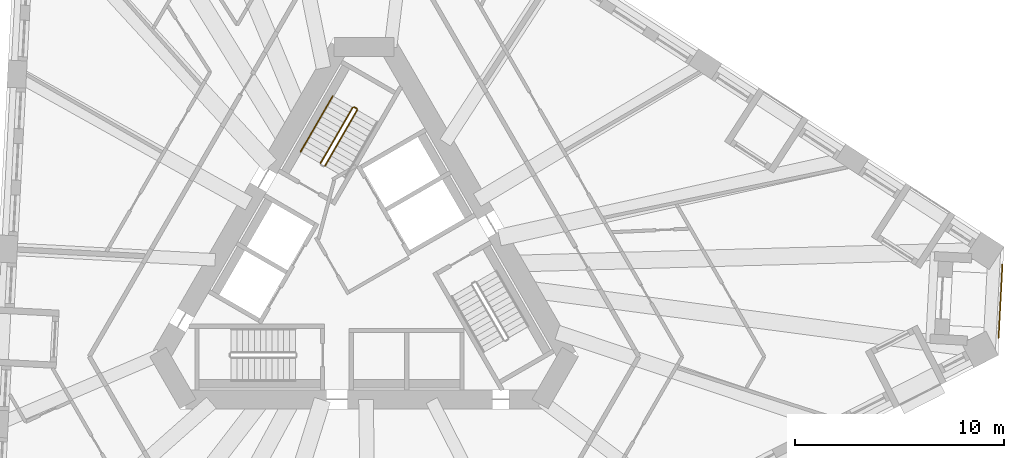
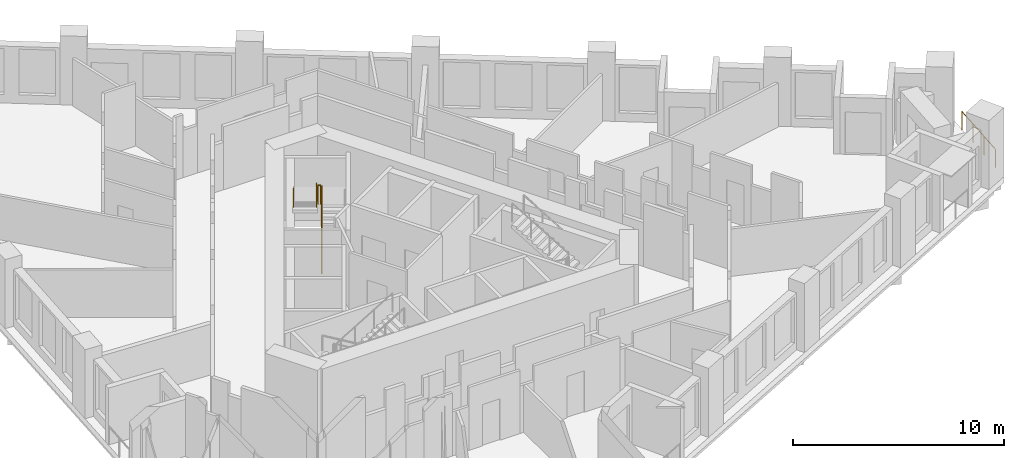
# One storey, part 11 of 12: 5 railings.
"""IFC4 building model written with IfcOpenShell, lengths in metres."""

from ifc_helpers import new_model, si_unit, direction, frame, origin, origin_2d, place, context, subcontext, project, spatial, circle, extrude, material, type_object, element, save


model = new_model("IFC4")

# Units and contexts
model_context = context("Model", 3, precision=1e-05, world=origin(), true_north=direction((0.0, 1.0)))
body_context = subcontext(model_context, "Body", "Model", "MODEL_VIEW")
ifc_project = project(units=[si_unit("LENGTHUNIT", "METRE"), si_unit("AREAUNIT", "SQUARE_METRE"), si_unit("VOLUMEUNIT", "CUBIC_METRE"), si_unit("PLANEANGLEUNIT", "RADIAN"), si_unit("MASSUNIT", "GRAM", prefix="KILO")], contexts=[model_context])

# Site, building, storey
site_placement = place(None, origin())
site = spatial("IfcSite", under=ifc_project, at=site_placement, CompositionType="ELEMENT")
building_placement = place(site_placement, origin())
building = spatial("IfcBuilding", under=site, at=building_placement, Name="Tramontana Tower", CompositionType="ELEMENT")
storey_placement = place(building_placement, frame((0.0, 0.0, 129.60009765625)))
storey = spatial("IfcBuildingStorey", under=building, at=storey_placement, Name="L29", CompositionType="ELEMENT", Elevation=129.60009765625)

# Railings
ifc_material_1 = material(Name="Laminated glass balustrade", Category="glass")
railing_type_1 = type_object("IfcRailingType", Name="GD1 Loggia glass balustrade 1100", PredefinedType="BALUSTRADE", material=ifc_material_1)
railing_1_placement = place(storey_placement, frame((30.519775390625, 0.15283203125, 0.0)))
element("IfcRailing", 1, at=railing_1_placement, inside=storey, type_object=railing_type_1, Name="Corner loggia balustrade L29 K32", PredefinedType="BALUSTRADE", context=body_context, shape_type="SweptSolid", body=[
    extrude(circle(Radius=0.02392578125, at=origin_2d()), frame((0.0, 0.0, 1.076171875), z_axis=(-0.052317189757, -0.998630518088, 0.0), x_axis=(0.998630518088, -0.052317189757, 0.0)), (0.0, 0.0, 1.0), 3.5),
    extrude(circle(Radius=0.02099609375, at=origin_2d()), origin(), (0.0, 0.0, 1.0), 1.052001953125),
    extrude(circle(Radius=0.02099609375, at=origin_2d()), frame((-0.06103515625, -1.1650390625, 0.0)), (0.0, 0.0, 1.0), 1.052001953125),
    extrude(circle(Radius=0.02099609375, at=origin_2d()), frame((-0.1220703125, -2.330078125, 0.0)), (0.0, 0.0, 1.0), 1.052001953125),
    extrude(circle(Radius=0.02099609375, at=origin_2d()), frame((-0.18310546875, -3.4951171875, 0.0)), (0.0, 0.0, 1.0), 1.052001953125),
])
ifc_material_2 = material(Name="Painted steel", Category="steel")
railing_type_2 = type_object("IfcRailingType", Name="STAIR GUARD 1100", PredefinedType="GUARDRAIL", material=ifc_material_2)
railing_2_placement = place(storey_placement, frame((-1.867431640625, 4.865478515625, 0.16650390625)))
element("IfcRailing", 2, at=railing_2_placement, inside=storey, type_object=railing_type_2, Name="L29 ST1 stair guard 1", PredefinedType="GUARDRAIL", context=body_context, shape_type="SweptSolid", body=[
    extrude(circle(Radius=0.02392578125, at=origin_2d()), frame((0.0, 0.0, 1.076171875), z_axis=(0.429634447492, 0.7441639146, 0.511502013422), x_axis=(-0.866029832698, 0.499992328818, 0.0)), (0.0, 0.0, 1.0), 3.58447265625),
    extrude(circle(Radius=0.02099609375, at=origin_2d()), origin(), (0.0, 0.0, 1.0), 1.052001953125),
    extrude(circle(Radius=0.02099609375, at=origin_2d()), frame((0.513427734375, 0.88916015625, 0.611083984375)), (0.0, 0.0, 1.0), 1.052001953125),
    extrude(circle(Radius=0.02099609375, at=origin_2d()), frame((1.026611328125, 1.7783203125, 1.222412109375)), (0.0, 0.0, 1.0), 1.052001953125),
    extrude(circle(Radius=0.02099609375, at=origin_2d()), frame((1.5400390625, 2.66748046875, 1.83349609375)), (0.0, 0.0, 1.0), 1.052001953125),
])
railing_3_placement = place(storey_placement, frame((-0.5439453125, 7.657958984375, 2.16650390625)))
element("IfcRailing", 3, at=railing_3_placement, inside=storey, type_object=railing_type_2, Name="L29 ST1 stair guard 2", PredefinedType="GUARDRAIL", context=body_context, shape_type="SweptSolid", body=[
    extrude(circle(Radius=0.02392578125, at=origin_2d()), frame((0.0, 0.0, 1.076171875), z_axis=(-0.429634447492, -0.7441639146, 0.511502013422), x_axis=(0.866029832698, -0.499992328818, 0.0)), (0.0, 0.0, 1.0), 3.58447265625),
    extrude(circle(Radius=0.02099609375, at=origin_2d()), origin(), (0.0, 0.0, 1.0), 1.052001953125),
    extrude(circle(Radius=0.02099609375, at=origin_2d()), frame((-0.513427734375, -0.88916015625, 0.611083984375)), (0.0, 0.0, 1.0), 1.052001953125),
    extrude(circle(Radius=0.02099609375, at=origin_2d()), frame((-1.026611328125, -1.7783203125, 1.222412109375)), (0.0, 0.0, 1.0), 1.052001953125),
    extrude(circle(Radius=0.02099609375, at=origin_2d()), frame((-1.5400390625, -2.66748046875, 1.83349609375)), (0.0, 0.0, 1.0), 1.052001953125),
])
railing_4_placement = place(storey_placement, frame((-0.345703125, 7.601318359375, 2.0)))
element("IfcRailing", 4, at=railing_4_placement, inside=storey, type_object=railing_type_2, Name="L29 ST1 stair guard 3", PredefinedType="GUARDRAIL", context=body_context, shape_type="SweptSolid", body=[
    extrude(circle(Radius=0.02392578125, at=origin_2d()), frame((0.0, 0.0, 1.076171875), z_axis=(-0.866131372301, 0.499816412211, 0.0), x_axis=(-0.499816412211, -0.866131372301, 0.0)), (0.0, 0.0, 1.0), 0.14990234375),
    extrude(circle(Radius=0.02099609375, at=origin_2d()), origin(), (0.0, 0.0, 1.0), 1.052001953125),
    extrude(circle(Radius=0.02099609375, at=origin_2d()), frame((-0.1298828125, 0.074951171875, 0.0)), (0.0, 0.0, 1.0), 1.052001953125),
])
ifc_material_3 = material(Name="Painted steel", Category="steel")
railing_type_3 = type_object("IfcRailingType", Name="STAIR HANDRAIL 900", PredefinedType="HANDRAIL", material=ifc_material_3)
railing_5_placement = place(storey_placement, frame((-1.49658203125, 8.2080078125, 2.16650390625)))
element("IfcRailing", 5, at=railing_5_placement, inside=storey, type_object=railing_type_3, Name="L29 ST1 stair handrail 2", PredefinedType="HANDRAIL", context=body_context, shape_type="SweptSolid", body=[
    extrude(circle(Radius=0.02392578125, at=origin_2d()), frame((0.0, 0.0, 0.8759765625), z_axis=(-0.429634447492, -0.7441639146, 0.511502013422), x_axis=(0.866029832698, -0.499992328818, 0.0)), (0.0, 0.0, 1.0), 3.58447265625),
    extrude(circle(Radius=0.02099609375, at=origin_2d()), origin(), (0.0, 0.0, 1.0), 0.851806640625),
    extrude(circle(Radius=0.02099609375, at=origin_2d()), frame((-0.513427734375, -0.88916015625, 0.611083984375)), (0.0, 0.0, 1.0), 0.851806640625),
    extrude(circle(Radius=0.02099609375, at=origin_2d()), frame((-1.026611328125, -1.7783203125, 1.222412109375)), (0.0, 0.0, 1.0), 0.851806640625),
    extrude(circle(Radius=0.02099609375, at=origin_2d()), frame((-1.5400390625, -2.66748046875, 1.83349609375)), (0.0, 0.0, 1.0), 0.851806640625),
])

save(model, "model.ifc")
